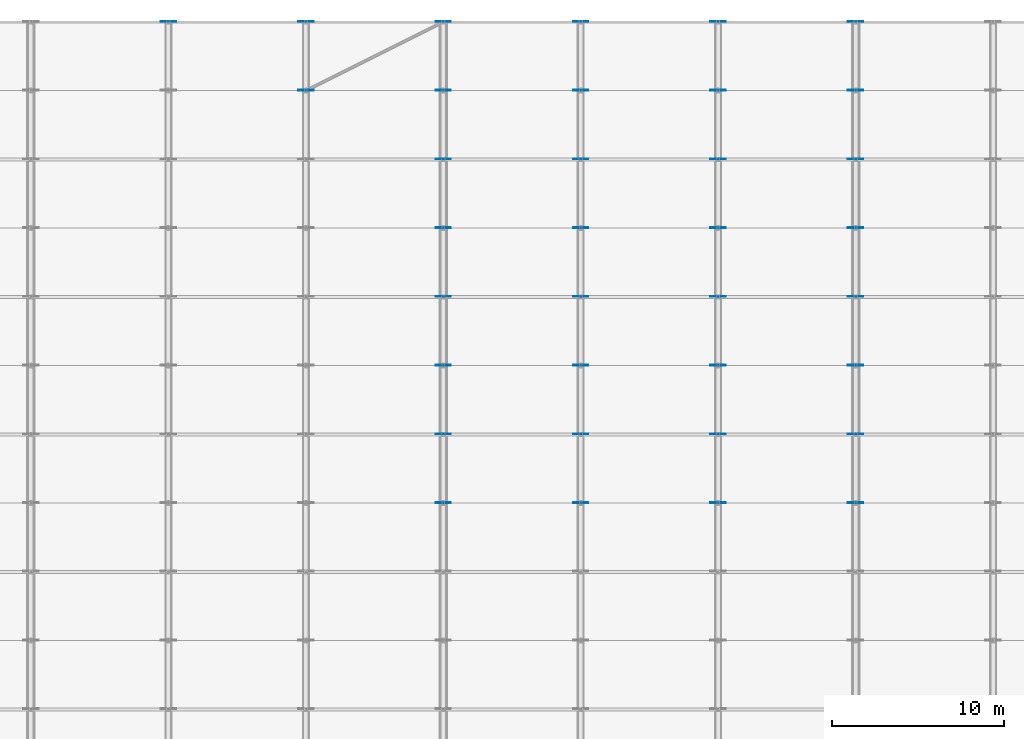
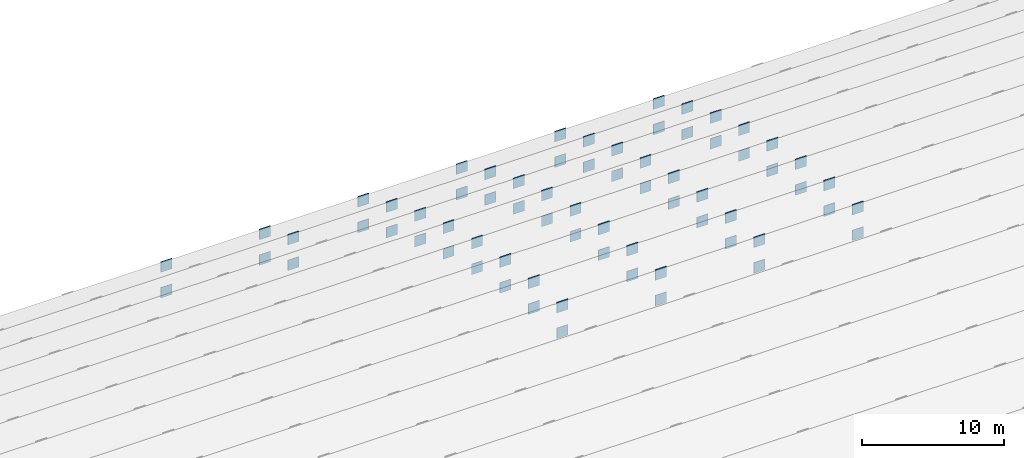
# One storey, part 93 of 98: 70 plates.
"""IFC4 building model written with IfcOpenShell, lengths in metres."""

from ifc_helpers import new_model, si_unit, direction, frame, origin, origin_2d, place, context, subcontext, project, spatial, rectangle, extrude, material, layer, layer_set, type_object, element, save


model = new_model("IFC4")

# Units and contexts
model_context = context("Model", 3, precision=1e-05, world=origin(), true_north=direction((0.0, 1.0)))
body_context = subcontext(model_context, "Body", "Model", "MODEL_VIEW")
ifc_project = project(units=[si_unit("LENGTHUNIT", "METRE"), si_unit("AREAUNIT", "SQUARE_METRE"), si_unit("VOLUMEUNIT", "CUBIC_METRE"), si_unit("PLANEANGLEUNIT", "RADIAN"), si_unit("MASSUNIT", "GRAM", prefix="KILO")], contexts=[model_context])

# Site, building, storey
site_placement = place(None, origin())
site = spatial("IfcSite", under=ifc_project, at=site_placement, CompositionType="ELEMENT")
building_placement = place(site_placement, origin())
building = spatial("IfcBuilding", under=site, at=building_placement, Name="Tlacozan Convention Centre", CompositionType="ELEMENT")
storey_placement = place(building_placement, frame((0.0, 0.0, 25.800048828125)))
storey = spatial("IfcBuildingStorey", under=building, at=storey_placement, Name="Roof", CompositionType="ELEMENT", Elevation=25.800048828125)

# Plates
ifc_material = material(Name="Steel ASTM A572 Grade 50", Category="steel")
ifc_layer = layer(ifc_material, 0.044921875)
ifc_layer_set = layer_set([ifc_layer], Name="Steel ASTM A572 Grade 50")
plate_type = type_object("IfcPlateType", Name="Arch Springing Node Gusset Plate", PredefinedType="SHEET", material=ifc_layer_set)
for number, where, z_axis, x_axis, name in (
    (1, (80.0, 126.023681640625, -11.061767578125), (0.0, 0.0, 1.0), (0.0, 1.0, 0.0), "Roof Gusset Cap Plate 373"),
    (2, (80.0, 126.023681640625, -13.26171875), (0.0, 0.0, 1.0), (0.0, 1.0, 0.0), "Roof Gusset Cap Plate 374"),
    (3, (88.0, 122.0244140625, -9.09228515625), (0.0, 0.0, 1.0), (0.0, 1.0, 0.0), "Roof Gusset Cap Plate 405"),
    (4, (88.0, 122.0244140625, -11.29248046875), (0.0, 0.0, 1.0), (0.0, 1.0, 0.0), "Roof Gusset Cap Plate 406"),
    (5, (88.0, 126.023681640625, -11.061767578125), (0.0, 0.0, 1.0), (0.0, 1.0, 0.0), "Roof Gusset Cap Plate 407"),
    (6, (88.0, 126.023681640625, -13.26171875), (0.0, 0.0, 1.0), (0.0, 1.0, 0.0), "Roof Gusset Cap Plate 408"),
    (7, (96.0, 98.026611328125, -3.16845703125), (0.0, 0.0, 1.0), (0.0, 1.0, 0.0), "Roof Gusset Cap Plate 427"),
    (8, (96.0, 98.026611328125, -5.368408203125), (0.0, 0.0, 1.0), (0.0, 1.0, 0.0), "Roof Gusset Cap Plate 428"),
    (9, (96.0, 102.0263671875, -3.5244140625), (0.0, 0.0, 1.0), (0.0, 1.0, 0.0), "Roof Gusset Cap Plate 429"),
    (10, (96.0, 102.0263671875, -5.724609375), (0.0, 0.0, 1.0), (0.0, 1.0, 0.0), "Roof Gusset Cap Plate 430"),
    (11, (96.0, 106.026123046875, -4.12109375), (0.0, 0.0, 1.0), (0.0, 1.0, 0.0), "Roof Gusset Cap Plate 431"),
    (12, (96.0, 106.026123046875, -6.321044921875), (0.0, 0.0, 1.0), (0.0, 1.0, 0.0), "Roof Gusset Cap Plate 432"),
    (13, (96.0, 110.02587890625, -4.964599609375), (0.0, 0.0, 1.0), (0.0, 1.0, 0.0), "Roof Gusset Cap Plate 433"),
    (14, (96.0, 110.02587890625, -7.164794921875), (0.0, 0.0, 1.0), (0.0, 1.0, 0.0), "Roof Gusset Cap Plate 434"),
    (15, (96.0, 114.025634765625, -6.064697265625), (0.0, 0.0, 1.0), (0.0, 1.0, 0.0), "Roof Gusset Cap Plate 435"),
    (16, (96.0, 114.025634765625, -8.2646484375), (0.0, 0.0, 1.0), (0.0, 1.0, 0.0), "Roof Gusset Cap Plate 436"),
    (17, (96.0, 118.025146484375, -7.434814453125), (0.0, 0.0, 1.0), (0.0, 1.0, 0.0), "Roof Gusset Cap Plate 437"),
    (18, (96.0, 118.025146484375, -9.634765625), (0.0, 0.0, 1.0), (0.0, 1.0, 0.0), "Roof Gusset Cap Plate 438"),
    (19, (96.0, 122.0244140625, -9.09228515625), (0.0, 0.0, 1.0), (0.0, 1.0, 0.0), "Roof Gusset Cap Plate 439"),
    (20, (96.0, 122.0244140625, -11.29248046875), (0.0, 0.0, 1.0), (0.0, 1.0, 0.0), "Roof Gusset Cap Plate 440"),
    (21, (96.0, 126.023681640625, -11.061767578125), (0.0, 0.0, 1.0), (0.0, 1.0, 0.0), "Roof Gusset Cap Plate 441"),
    (22, (96.0, 126.023681640625, -13.26171875), (0.0, 0.0, 1.0), (0.0, 1.0, 0.0), "Roof Gusset Cap Plate 442"),
    (23, (104.0, 98.026611328125, -3.16845703125), (0.0, 0.0, 1.0), (0.0, 1.0, 0.0), "Roof Gusset Cap Plate 461"),
    (24, (104.0, 98.026611328125, -5.368408203125), (0.0, 0.0, 1.0), (0.0, 1.0, 0.0), "Roof Gusset Cap Plate 462"),
    (25, (104.0, 102.0263671875, -3.5244140625), (0.0, 0.0, 1.0), (0.0, 1.0, 0.0), "Roof Gusset Cap Plate 463"),
    (26, (104.0, 102.0263671875, -5.724609375), (0.0, 0.0, 1.0), (0.0, 1.0, 0.0), "Roof Gusset Cap Plate 464"),
    (27, (104.0, 106.026123046875, -4.12109375), (0.0, 0.0, 1.0), (0.0, 1.0, 0.0), "Roof Gusset Cap Plate 465"),
    (28, (104.0, 106.026123046875, -6.321044921875), (0.0, 0.0, 1.0), (0.0, 1.0, 0.0), "Roof Gusset Cap Plate 466"),
    (29, (104.0, 110.02587890625, -4.964599609375), (0.0, 0.0, 1.0), (0.0, 1.0, 0.0), "Roof Gusset Cap Plate 467"),
    (30, (104.0, 110.02587890625, -7.164794921875), (0.0, 0.0, 1.0), (0.0, 1.0, 0.0), "Roof Gusset Cap Plate 468"),
    (31, (104.0, 114.025634765625, -6.064697265625), (0.0, 0.0, 1.0), (0.0, 1.0, 0.0), "Roof Gusset Cap Plate 469"),
    (32, (104.0, 114.025634765625, -8.2646484375), (0.0, 0.0, 1.0), (0.0, 1.0, 0.0), "Roof Gusset Cap Plate 470"),
    (33, (104.0, 118.025146484375, -7.434814453125), (0.0, 0.0, 1.0), (0.0, 1.0, 0.0), "Roof Gusset Cap Plate 471"),
    (34, (104.0, 118.025146484375, -9.634765625), (0.0, 0.0, 1.0), (0.0, 1.0, 0.0), "Roof Gusset Cap Plate 472"),
    (35, (104.0, 122.0244140625, -9.09228515625), (0.0, 0.0, 1.0), (0.0, 1.0, 0.0), "Roof Gusset Cap Plate 473"),
    (36, (104.0, 122.0244140625, -11.29248046875), (0.0, 0.0, 1.0), (0.0, 1.0, 0.0), "Roof Gusset Cap Plate 474"),
    (37, (104.0, 126.023681640625, -11.061767578125), (0.0, 0.0, 1.0), (0.0, 1.0, 0.0), "Roof Gusset Cap Plate 475"),
    (38, (104.0, 126.023681640625, -13.26171875), (0.0, 0.0, 1.0), (0.0, 1.0, 0.0), "Roof Gusset Cap Plate 476"),
    (39, (112.0, 98.026611328125, -3.16845703125), (0.0, 0.0, 1.0), (0.0, 1.0, 0.0), "Roof Gusset Cap Plate 495"),
    (40, (112.0, 98.026611328125, -5.368408203125), (0.0, 0.0, 1.0), (0.0, 1.0, 0.0), "Roof Gusset Cap Plate 496"),
    (41, (112.0, 102.0263671875, -3.5244140625), (0.0, 0.0, 1.0), (0.0, 1.0, 0.0), "Roof Gusset Cap Plate 497"),
    (42, (112.0, 102.0263671875, -5.724609375), (0.0, 0.0, 1.0), (0.0, 1.0, 0.0), "Roof Gusset Cap Plate 498"),
    (43, (112.0, 106.026123046875, -4.12109375), (0.0, 0.0, 1.0), (0.0, 1.0, 0.0), "Roof Gusset Cap Plate 499"),
    (44, (112.0, 106.026123046875, -6.321044921875), (0.0, 0.0, 1.0), (0.0, 1.0, 0.0), "Roof Gusset Cap Plate 500"),
    (45, (112.0, 110.02587890625, -4.964599609375), (0.0, 0.0, 1.0), (0.0, 1.0, 0.0), "Roof Gusset Cap Plate 501"),
    (46, (112.0, 110.02587890625, -7.164794921875), (0.0, 0.0, 1.0), (0.0, 1.0, 0.0), "Roof Gusset Cap Plate 502"),
    (47, (112.0, 114.025634765625, -6.064697265625), (0.0, 0.0, 1.0), (0.0, 1.0, 0.0), "Roof Gusset Cap Plate 503"),
    (48, (112.0, 114.025634765625, -8.2646484375), (0.0, 0.0, 1.0), (0.0, 1.0, 0.0), "Roof Gusset Cap Plate 504"),
    (49, (112.0, 118.025146484375, -7.434814453125), (0.0, 0.0, 1.0), (0.0, 1.0, 0.0), "Roof Gusset Cap Plate 505"),
    (50, (112.0, 118.025146484375, -9.634765625), (0.0, 0.0, 1.0), (0.0, 1.0, 0.0), "Roof Gusset Cap Plate 506"),
    (51, (112.0, 122.0244140625, -9.09228515625), (0.0, 0.0, 1.0), (0.0, 1.0, 0.0), "Roof Gusset Cap Plate 507"),
    (52, (112.0, 122.0244140625, -11.29248046875), (0.0, 0.0, 1.0), (0.0, 1.0, 0.0), "Roof Gusset Cap Plate 508"),
    (53, (112.0, 126.023681640625, -11.061767578125), (0.0, 0.0, 1.0), (0.0, 1.0, 0.0), "Roof Gusset Cap Plate 509"),
    (54, (112.0, 126.023681640625, -13.26171875), (0.0, 0.0, 1.0), (0.0, 1.0, 0.0), "Roof Gusset Cap Plate 510"),
    (55, (120.0, 98.026611328125, -3.16845703125), (0.0, 0.0, 1.0), (0.0, 1.0, 0.0), "Roof Gusset Cap Plate 529"),
    (56, (120.0, 98.026611328125, -5.368408203125), (0.0, 0.0, 1.0), (0.0, 1.0, 0.0), "Roof Gusset Cap Plate 530"),
    (57, (120.0, 102.0263671875, -3.5244140625), (0.0, 0.0, 1.0), (0.0, 1.0, 0.0), "Roof Gusset Cap Plate 531"),
    (58, (120.0, 102.0263671875, -5.724609375), (0.0, 0.0, 1.0), (0.0, 1.0, 0.0), "Roof Gusset Cap Plate 532"),
    (59, (120.0, 106.026123046875, -4.12109375), (0.0, 0.0, 1.0), (0.0, 1.0, 0.0), "Roof Gusset Cap Plate 533"),
    (60, (120.0, 106.026123046875, -6.321044921875), (0.0, 0.0, 1.0), (0.0, 1.0, 0.0), "Roof Gusset Cap Plate 534"),
    (61, (120.0, 110.02587890625, -4.964599609375), (0.0, 0.0, 1.0), (0.0, 1.0, 0.0), "Roof Gusset Cap Plate 535"),
    (62, (120.0, 110.02587890625, -7.164794921875), (0.0, 0.0, 1.0), (0.0, 1.0, 0.0), "Roof Gusset Cap Plate 536"),
    (63, (120.0, 114.025634765625, -6.064697265625), (0.0, 0.0, 1.0), (0.0, 1.0, 0.0), "Roof Gusset Cap Plate 537"),
    (64, (120.0, 114.025634765625, -8.2646484375), (0.0, 0.0, 1.0), (0.0, 1.0, 0.0), "Roof Gusset Cap Plate 538"),
    (65, (120.0, 118.025146484375, -7.434814453125), (0.0, 0.0, 1.0), (0.0, 1.0, 0.0), "Roof Gusset Cap Plate 539"),
    (66, (120.0, 118.025146484375, -9.634765625), (0.0, 0.0, 1.0), (0.0, 1.0, 0.0), "Roof Gusset Cap Plate 540"),
    (67, (120.0, 122.0244140625, -9.09228515625), (0.0, 0.0, 1.0), (0.0, 1.0, 0.0), "Roof Gusset Cap Plate 541"),
    (68, (120.0, 122.0244140625, -11.29248046875), (0.0, 0.0, 1.0), (0.0, 1.0, 0.0), "Roof Gusset Cap Plate 542"),
    (69, (120.0, 126.023681640625, -11.061767578125), (0.0, 0.0, 1.0), (0.0, 1.0, 0.0), "Roof Gusset Cap Plate 543"),
    (70, (120.0, 126.023681640625, -13.26171875), (0.0, 0.0, 1.0), (0.0, 1.0, 0.0), "Roof Gusset Cap Plate 544"),
):
    element("IfcPlate", number, at=place(storey_placement, frame(where, z_axis=z_axis, x_axis=x_axis)), inside=storey, type_object=plate_type, Name=name, PredefinedType="SHEET", context=body_context, shape_type="SweptSolid", body=[
        extrude(rectangle(XDim=0.044921875, YDim=0.89990234375, at=origin_2d()), origin(), (0.0, 0.0, 1.0), 0.89990234375),
    ])

save(model, "model.ifc")
